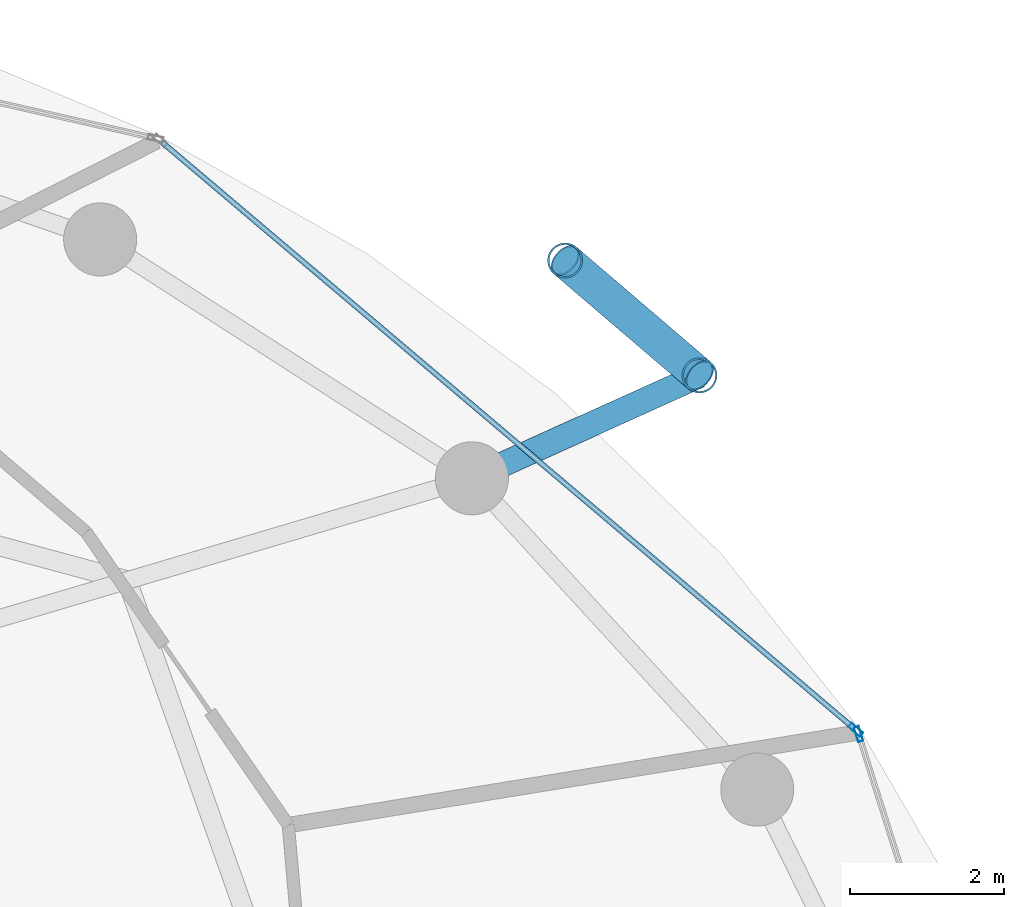
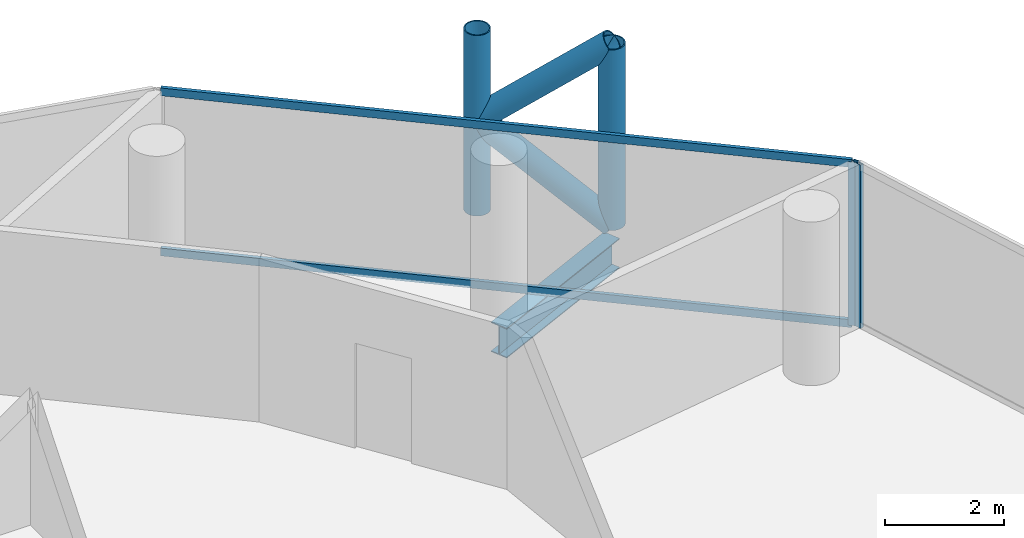
# One storey, part 19 of 26: 8 members, 1 beam, 2 elements without a shape of their own.
"""IFC4 building model written with IfcOpenShell, lengths in metres."""

from ifc_helpers import new_model, si_unit, direction, frame, origin, origin_2d, place, context, subcontext, project, spatial, hollow_rectangle, hollow_circle, i_section, extrude, material, layer, layer_set, material_profile, profile_set, type_object, element, aggregate, save


model = new_model("IFC4")

# Units and contexts
model_context = context("Model", 3, precision=1e-05, world=origin(), true_north=direction((0.0, 1.0)))
body_context = subcontext(model_context, "Body", "Model", "MODEL_VIEW")
ifc_project = project(units=[si_unit("LENGTHUNIT", "METRE"), si_unit("AREAUNIT", "SQUARE_METRE"), si_unit("VOLUMEUNIT", "CUBIC_METRE"), si_unit("PLANEANGLEUNIT", "RADIAN"), si_unit("MASSUNIT", "GRAM", prefix="KILO")], contexts=[model_context])

# Site, building, storey
site_placement = place(None, origin())
site = spatial("IfcSite", under=ifc_project, at=site_placement, CompositionType="ELEMENT")
building_placement = place(site_placement, origin())
building = spatial("IfcBuilding", under=site, at=building_placement, Name="Nuhasar Tower", CompositionType="ELEMENT")
storey_placement = place(building_placement, frame((0.0, 0.0, 192.25)))
storey = spatial("IfcBuildingStorey", under=building, at=storey_placement, Name="L47", CompositionType="ELEMENT", Elevation=192.25)

# Beam
ifc_material_1 = material(Name="Steel S355", Category="steel")
ifc_material_profile_1 = material_profile(ifc_material_1, i_section(OverallWidth=0.323974609375, OverallDepth=0.611083984375, WebThickness=0.0126953125, FlangeThickness=0.01904296875, at=origin_2d()), Name="W24X104")
ifc_profile_set_1 = profile_set([ifc_material_profile_1], Name="Steel S355")
beam_type = type_object("IfcBeamType", Name="BM-TIE-W24X104", PredefinedType="BEAM", material=ifc_profile_set_1)
beam_placement = place(storey_placement, frame((55.510986328125, 40.6240234375, -0.554931640625), z_axis=(0.911239591969, 0.411876687891, 0.0), x_axis=(-0.411876687891, 0.911239591969, 0.0)))
element("IfcBeam", 1, at=beam_placement, inside=storey, type_object=beam_type, Name="L47 Exoskeleton Node Tie Beam 02", PredefinedType="BEAM", context=body_context, shape_type="SweptSolid", body=[
    extrude(i_section(OverallWidth=0.323974609375, OverallDepth=0.611083984375, WebThickness=0.0126953125, FlangeThickness=0.01904296875, at=origin_2d()), origin(), (0.0, 0.0, 1.0), 3.248291015625),
])

# Curtain wall, member
ifc_material_2 = material(Name="Aluminium 6063-T6", Category="aluminium")
ifc_layer = layer(ifc_material_2, 0.199951171875)
ifc_layer_set = layer_set([ifc_layer], Name="Aluminium 6063-T6")
curtain_wall_type = type_object("IfcCurtainWallType", Name="CW-Z2-HTL", PredefinedType="NOTDEFINED", material=ifc_layer_set)
curtain_wall_1_placement = place(storey_placement, origin())
curtain_wall_1 = element("IfcCurtainWall", 2, at=curtain_wall_1_placement, inside=storey, type_object=curtain_wall_type, Name="L47 Unitised Curtain Wall 01", PredefinedType="NOTDEFINED")
ifc_material_profile_2 = material_profile(ifc_material_2, hollow_rectangle(XDim=0.070068359375, YDim=0.199951171875, WallThickness=0.0048828125, at=origin_2d()), Name="CWM-3")
ifc_profile_set_2 = profile_set([ifc_material_profile_2], Name="Aluminium 6063-T6")
member_type_1 = type_object("IfcMemberType", Name="CW-MUL-S3", PredefinedType="MULLION", material=ifc_profile_set_2)
member_1_placement = place(storey_placement, frame((60.53955078125, 37.296630859375, 0.0), z_axis=(0.0, 0.0, 1.0), x_axis=(-0.953433389233, -0.301603667577, 0.0)))
member_1 = element("IfcMember", 3, at=member_1_placement, type_object=member_type_1, Name="CW-Z2 mullion 2", PredefinedType="MULLION", context=body_context, shape_type="SweptSolid", body=[
    extrude(hollow_rectangle(XDim=0.070068359375, YDim=0.199951171875, WallThickness=0.0048828125, at=origin_2d()), origin(), (0.0, 0.0, 1.0), 3.35009765625),
])
aggregate(curtain_wall_1, [member_1])

# Curtain wall, members
curtain_wall_2_placement = place(storey_placement, origin())
curtain_wall_2 = element("IfcCurtainWall", 4, at=curtain_wall_2_placement, inside=storey, type_object=curtain_wall_type, Name="L47 Unitised Curtain Wall 02", PredefinedType="NOTDEFINED")
member_2_placement = place(storey_placement, frame((60.502197265625, 37.3525390625, 0.0), z_axis=(0.0, 0.0, 1.0), x_axis=(-0.646374438324, -0.763020370292, 0.0)))
member_2 = element("IfcMember", 5, at=member_2_placement, type_object=member_type_1, Name="CW-Z2 mullion 1", PredefinedType="MULLION", context=body_context, shape_type="SweptSolid", body=[
    extrude(hollow_rectangle(XDim=0.070068359375, YDim=0.199951171875, WallThickness=0.0048828125, at=origin_2d()), origin(), (0.0, 0.0, 1.0), 3.35009765625),
])
ifc_material_profile_3 = material_profile(ifc_material_2, hollow_rectangle(XDim=0.070068359375, YDim=0.159912109375, WallThickness=0.00439453125, at=origin_2d()), Name="CWT-3")
ifc_profile_set_3 = profile_set([ifc_material_profile_3], Name="Aluminium 6063-T6")
member_type_2 = type_object("IfcMemberType", Name="CW-TRN-S3", PredefinedType="USERDEFINED", material=ifc_profile_set_3)
member_3_placement = place(storey_placement, frame((60.4755859375, 37.375244140625, 0.034912109375), z_axis=(-0.763023915269, 0.646370253592, 0.0), x_axis=(-0.646370253592, -0.763023915269, 0.0)))
member_3 = element("IfcMember", 6, at=member_3_placement, type_object=member_type_2, Name="CW-Z2 transom 1.1", ObjectType="TRANSOM", PredefinedType="USERDEFINED", context=body_context, shape_type="SweptSolid", body=[
    extrude(hollow_rectangle(XDim=0.070068359375, YDim=0.159912109375, WallThickness=0.00439453125, at=origin_2d()), origin(), (0.0, 0.0, 1.0), 11.784912109375),
])
member_4_placement = place(storey_placement, frame((60.4755859375, 37.375244140625, 3.31494140625), z_axis=(-0.763023915269, 0.646370253592, 0.0), x_axis=(-0.646370253592, -0.763023915269, 0.0)))
member_4 = element("IfcMember", 7, at=member_4_placement, type_object=member_type_2, Name="CW-Z2 transom 1.2", ObjectType="TRANSOM", PredefinedType="USERDEFINED", context=body_context, shape_type="SweptSolid", body=[
    extrude(hollow_rectangle(XDim=0.070068359375, YDim=0.159912109375, WallThickness=0.00439453125, at=origin_2d()), origin(), (0.0, 0.0, 1.0), 11.784912109375),
])
aggregate(curtain_wall_2, [member_2, member_3, member_4])

# Members
ifc_material_3 = material(Name="Steel S460", Category="steel")
ifc_material_profile_4 = material_profile(ifc_material_3, hollow_circle(Radius=0.228515625, WallThickness=0.022216796875, at=origin_2d()), Name="HSS457X22.2")
ifc_profile_set_4 = profile_set([ifc_material_profile_4], Name="Steel S460")
member_type_3 = type_object("IfcMemberType", Name="EXO-BRONZE-457", PredefinedType="BRACE", material=ifc_profile_set_4)
for number, where, z_axis, x_axis, name in (
    (8, (58.470947265625, 41.9619140625, 0.0), (0.0, 0.0, 1.0), (1.0, 0.0, 0.0), "L47 Exoskeleton Chord Column EC-02A"),
    (9, (56.722900390625, 43.45703125, 0.0), (0.0, 0.0, 1.0), (1.0, 0.0, 0.0), "L47 Exoskeleton Chord Column EC-02B"),
):
    element("IfcMember", number, at=place(storey_placement, frame(where, z_axis=z_axis, x_axis=x_axis)), inside=storey, type_object=member_type_3, Name=name, PredefinedType="BRACE", context=body_context, shape_type="SweptSolid", body=[
        extrude(hollow_circle(Radius=0.228515625, WallThickness=0.022216796875, at=origin_2d()), origin(), (0.0, 0.0, 1.0), 3.699951171875),
    ])
member_5_placement = place(storey_placement, frame((58.470947265625, 41.9619140625, 0.0), z_axis=(-0.592170370358, 0.506487618445, 0.626741210415), x_axis=(-0.649986859795, -0.759945446788, 0.0)))
element("IfcMember", 10, at=member_5_placement, inside=storey, type_object=member_type_3, Name="L47 Bronze Diagrid Brace W1-02", PredefinedType="BRACE", context=body_context, shape_type="SweptSolid", body=[
    extrude(hollow_circle(Radius=0.228515625, WallThickness=0.022216796875, at=origin_2d()), origin(), (0.0, 0.0, 1.0), 2.951904296875),
])
member_6_placement = place(storey_placement, frame((56.722900390625, 43.45703125, 1.85009765625), z_axis=(0.592201065785, -0.506513872468, 0.626690988192), x_axis=(0.649986859795, 0.759945446788, 0.0)))
element("IfcMember", 11, at=member_6_placement, inside=storey, type_object=member_type_3, Name="L47 Bronze Diagrid Brace W2-02", PredefinedType="BRACE", context=body_context, shape_type="SweptSolid", body=[
    extrude(hollow_circle(Radius=0.228515625, WallThickness=0.022216796875, at=origin_2d()), origin(), (0.0, 0.0, 1.0), 2.95166015625),
])

save(model, "model.ifc")
